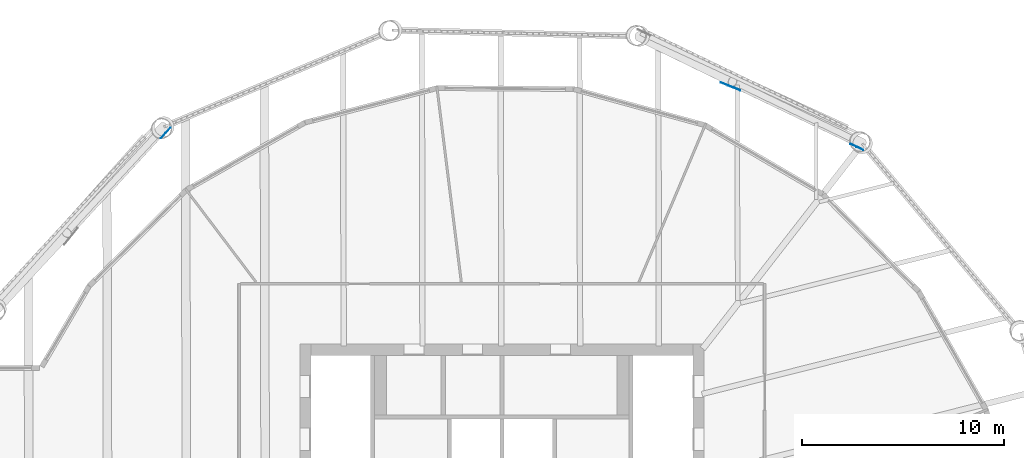
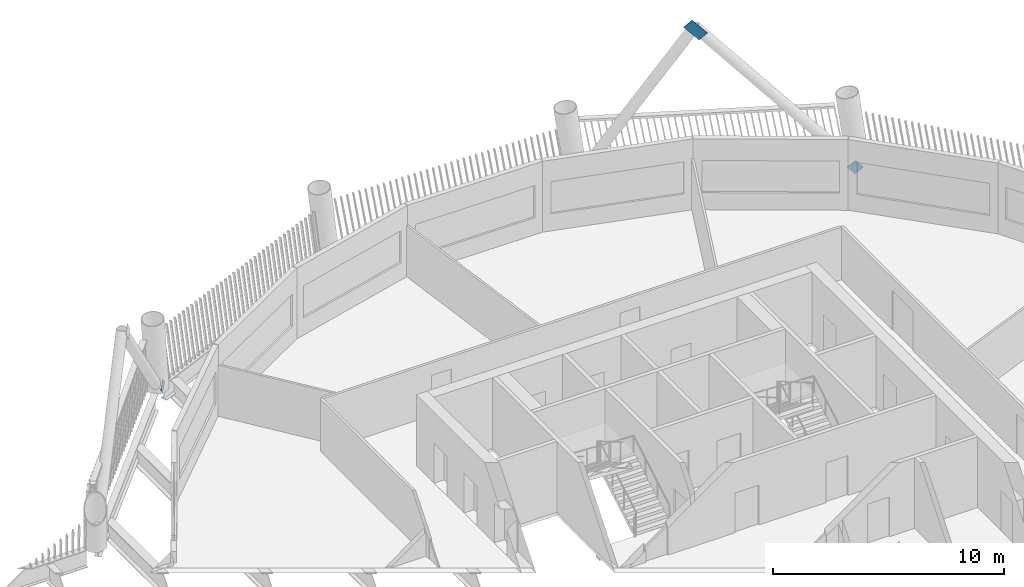
# One storey, part 10 of 22: 3 discrete accessories.
"""IFC4 building model written with IfcOpenShell, lengths in metres."""

from ifc_helpers import new_model, si_unit, direction, frame, origin, origin_2d, place, context, subcontext, project, spatial, rectangle, extrude, material, material_profile, profile_set, type_object, element, save


model = new_model("IFC4")

# Units and contexts
model_context = context("Model", 3, precision=1e-05, world=origin(), true_north=direction((0.0, 1.0)))
body_context = subcontext(model_context, "Body", "Model", "MODEL_VIEW")
ifc_project = project(units=[si_unit("LENGTHUNIT", "METRE"), si_unit("AREAUNIT", "SQUARE_METRE"), si_unit("VOLUMEUNIT", "CUBIC_METRE"), si_unit("PLANEANGLEUNIT", "RADIAN"), si_unit("MASSUNIT", "GRAM", prefix="KILO")], contexts=[model_context])

# Site, building, storey
site_placement = place(None, origin())
site = spatial("IfcSite", under=ifc_project, at=site_placement, CompositionType="ELEMENT")
building_placement = place(site_placement, origin())
building = spatial("IfcBuilding", under=site, at=building_placement, Name="Tarsis Ring Headquarters", CompositionType="ELEMENT")
storey_placement = place(building_placement, frame((0.0, 0.0, 286.39990234375)))
storey = spatial("IfcBuildingStorey", under=building, at=storey_placement, Name="L67", CompositionType="ELEMENT", Elevation=286.39990234375)

# Discrete accessories
ifc_material = material(Name="Structural steel S355", Category="steel")
ifc_material_profile = material_profile(ifc_material, rectangle(XDim=0.02490234375, YDim=0.5, at=origin_2d()), Name="PL 25x500")
ifc_profile_set = profile_set([ifc_material_profile], Name="Structural steel S355")
discrete_accessory_type = type_object("IfcDiscreteAccessoryType", Name="Gusset plate Exo brace 25", PredefinedType="BRACKET", material=ifc_profile_set)
discrete_accessory_1_placement = place(storey_placement, frame((17.720947265625, 22.6875, 0.0), z_axis=(-0.607902474731, 0.291011947743, 0.738760196199), x_axis=(-0.431788727621, -0.90197477498, 0.0)))
element("IfcDiscreteAccessory", 1, at=discrete_accessory_1_placement, inside=storey, type_object=discrete_accessory_type, Name="Gusset plate GP5", PredefinedType="BRACKET", context=body_context, shape_type="SweptSolid", body=[
    extrude(rectangle(XDim=0.02490234375, YDim=0.5, at=origin_2d()), origin(), (0.0, 0.0, 1.0), 0.5),
])
discrete_accessory_2_placement = place(storey_placement, frame((11.6318359375, 25.626220703125, 7.43115234375), z_axis=(-0.626718584771, 0.250736262781, 0.737804270813), x_axis=(-0.371453035426, -0.928451744827, 0.0)))
element("IfcDiscreteAccessory", 2, at=discrete_accessory_2_placement, inside=storey, type_object=discrete_accessory_type, Name="Gusset plate GP5", PredefinedType="BRACKET", context=body_context, shape_type="SweptSolid", body=[
    extrude(rectangle(XDim=0.02490234375, YDim=0.5, at=origin_2d()), origin(), (0.0, 0.0, 1.0), 1.0),
])
discrete_accessory_3_placement = place(storey_placement, frame((-16.5263671875, 23.572021484375, 0.0), z_axis=(-0.455585795354, -0.496603165996, 0.738800973601), x_axis=(0.736883394218, -0.676019869032, 0.0)))
element("IfcDiscreteAccessory", 3, at=discrete_accessory_3_placement, inside=storey, type_object=discrete_accessory_type, Name="Gusset plate GP5", PredefinedType="BRACKET", context=body_context, shape_type="SweptSolid", body=[
    extrude(rectangle(XDim=0.02490234375, YDim=0.5, at=origin_2d()), origin(), (0.0, 0.0, 1.0), 0.5),
])

save(model, "model.ifc")
